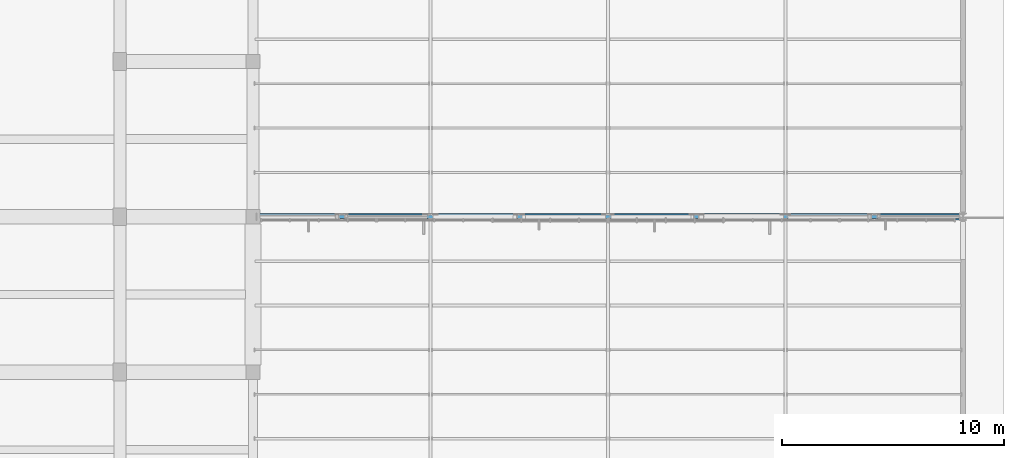
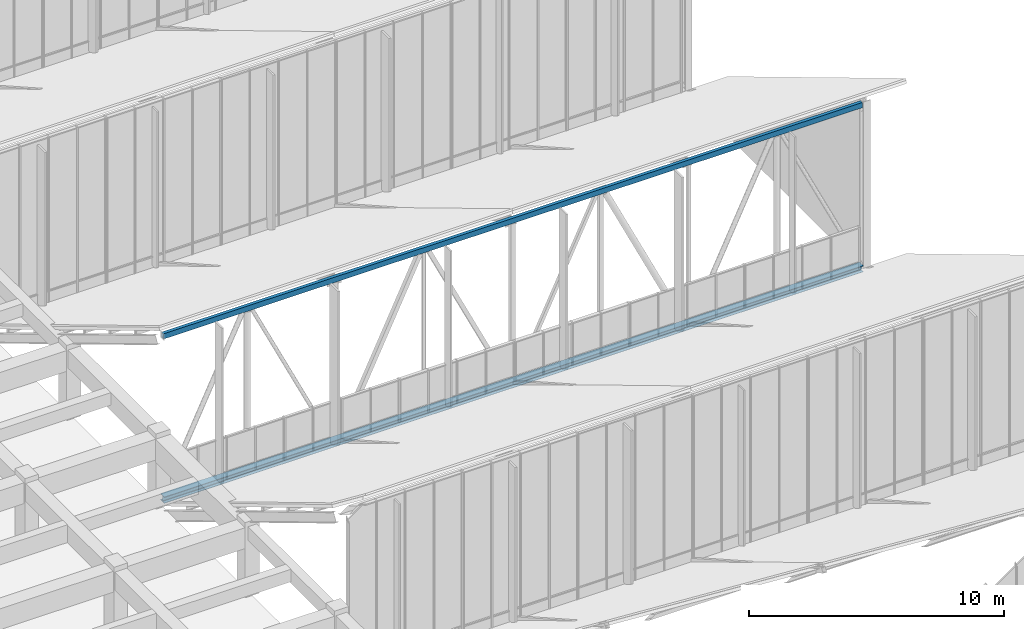
# One storey, part 58 of 155: 2 members.
"""IFC4 building model written with IfcOpenShell, lengths in metres."""

from ifc_helpers import new_model, si_unit, direction, frame, origin, origin_2d, place, context, subcontext, project, spatial, hollow_rectangle, i_section, extrude, material, material_profile, profile_set, type_object, element, save


model = new_model("IFC4")

# Units and contexts
model_context = context("Model", 3, precision=1e-05, world=origin(), true_north=direction((0.0, 1.0)))
body_context = subcontext(model_context, "Body", "Model", "MODEL_VIEW")
ifc_project = project(units=[si_unit("LENGTHUNIT", "METRE"), si_unit("AREAUNIT", "SQUARE_METRE"), si_unit("VOLUMEUNIT", "CUBIC_METRE"), si_unit("PLANEANGLEUNIT", "RADIAN"), si_unit("MASSUNIT", "GRAM", prefix="KILO")], contexts=[model_context])

# Site, building, storey
site_placement = place(None, origin())
site = spatial("IfcSite", under=ifc_project, at=site_placement, CompositionType="ELEMENT")
building_placement = place(site_placement, origin())
building = spatial("IfcBuilding", under=site, at=building_placement, Name="Larkveld Mobility Hub", CompositionType="ELEMENT")
storey_placement = place(building_placement, frame((0.0, 0.0, 8.39990234375)))
storey = spatial("IfcBuildingStorey", under=building, at=storey_placement, Name="L02", CompositionType="ELEMENT", Elevation=8.39990234375)

# Members
ifc_material = material(Name="Steel S355JR", Category="steel")
ifc_material_profile_1 = material_profile(ifc_material, i_section(OverallWidth=0.300048828125, OverallDepth=0.300048828125, WebThickness=0.010986328125, FlangeThickness=0.01904296875, FilletRadius=0.027099609375, at=origin_2d()), Name="HEB 300")
ifc_profile_set_1 = profile_set([ifc_material_profile_1], Name="Steel S355JR")
member_type_1 = type_object("IfcMemberType", Name="MB-CH-HEB300", PredefinedType="CHORD", material=ifc_profile_set_1)
member_1_placement = place(storey_placement, frame((152.159912109375, 84.0, 0.150146484375), z_axis=(1.0, 0.0, 0.0), x_axis=(0.0, 1.0, 0.0)))
element("IfcMember", 1, at=member_1_placement, inside=storey, type_object=member_type_1, Name="ROOF TRUSS T5 Bottom Chord", PredefinedType="CHORD", context=body_context, shape_type="SweptSolid", body=[
    extrude(i_section(OverallWidth=0.300048828125, OverallDepth=0.300048828125, WebThickness=0.010986328125, FlangeThickness=0.01904296875, FilletRadius=0.027099609375, at=origin_2d()), origin(), (0.0, 0.0, 1.0), 31.68017578125),
])
ifc_material_profile_2 = material_profile(ifc_material, hollow_rectangle(XDim=0.14990234375, YDim=0.25, WallThickness=0.010009765625, at=origin_2d()), Name="RHS 250x150x10")
ifc_profile_set_2 = profile_set([ifc_material_profile_2], Name="Steel S355JR")
member_type_2 = type_object("IfcMemberType", Name="MB-CH-RHS250", PredefinedType="CHORD", material=ifc_profile_set_2)
member_2_placement = place(storey_placement, frame((152.159912109375, 84.0, 7.9501953125), z_axis=(1.0, 0.0, 0.0), x_axis=(0.0, 1.0, 0.0)))
element("IfcMember", 2, at=member_2_placement, inside=storey, type_object=member_type_2, Name="ROOF TRUSS T5 Top Chord", PredefinedType="CHORD", context=body_context, shape_type="SweptSolid", body=[
    extrude(hollow_rectangle(XDim=0.14990234375, YDim=0.25, WallThickness=0.010009765625, at=origin_2d()), origin(), (0.0, 0.0, 1.0), 31.68017578125),
])

save(model, "model.ifc")
